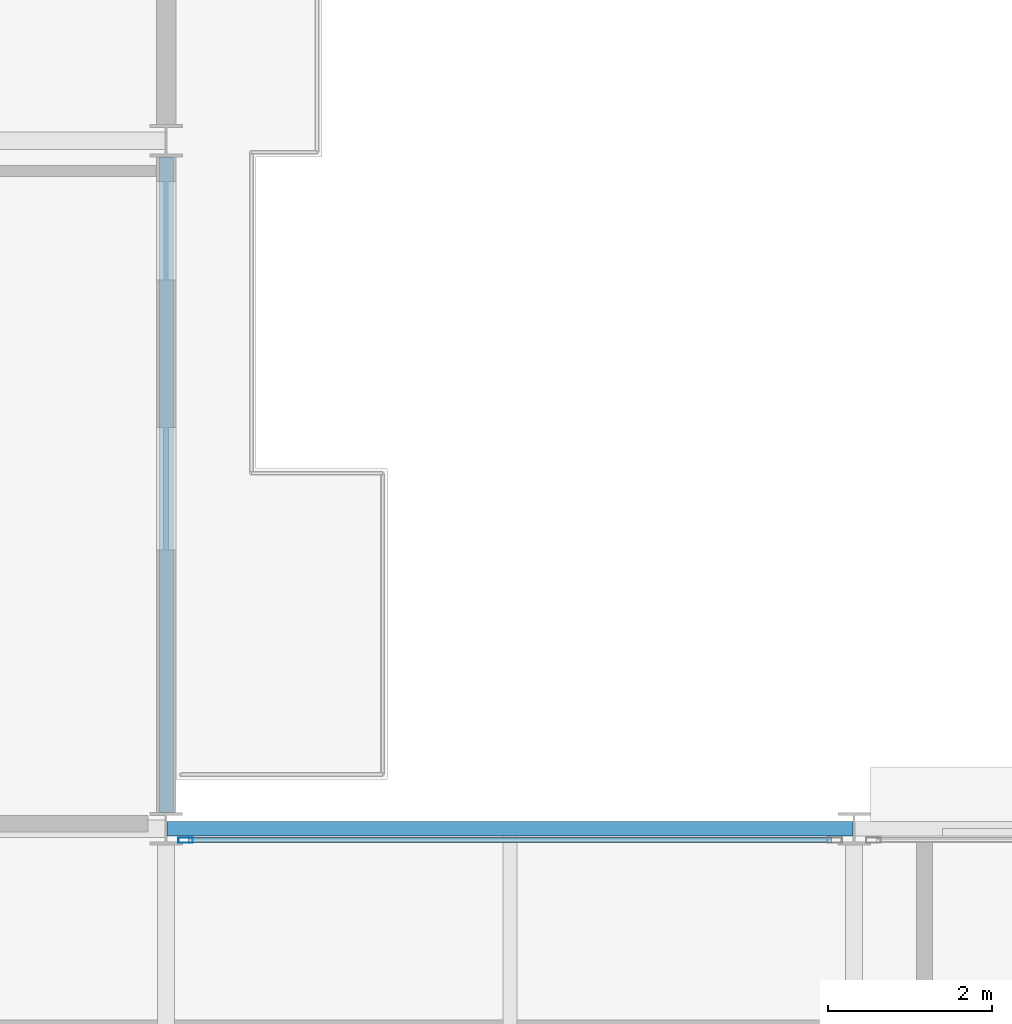
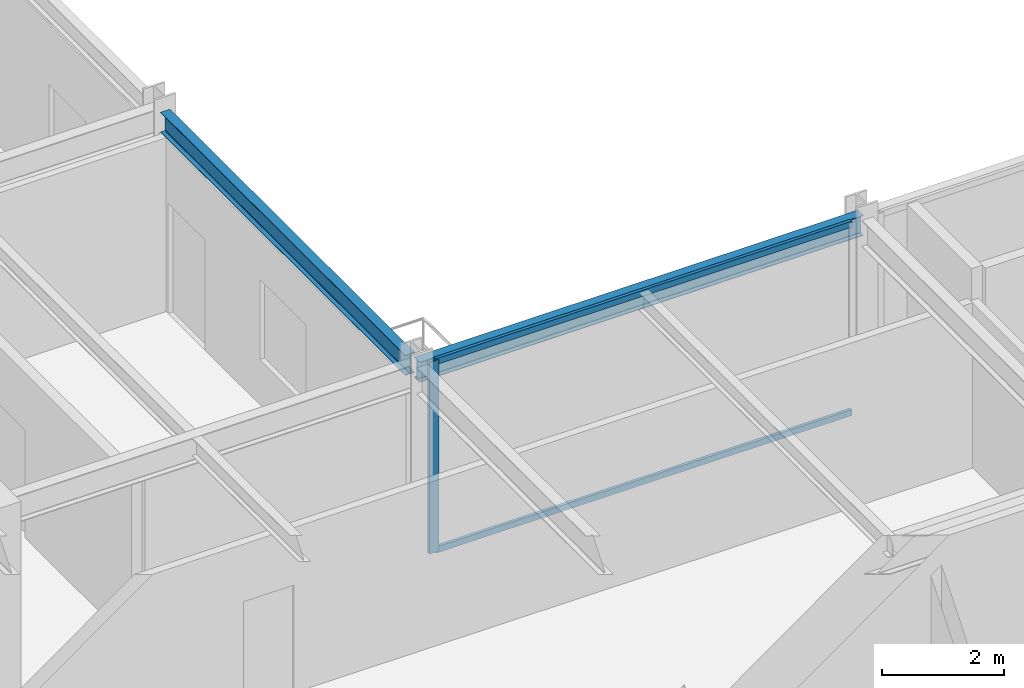
# One storey, part 12 of 30: 3 members, 2 beams, 1 element without a shape of its own.
"""IFC4 building model written with IfcOpenShell, lengths in metres."""

from ifc_helpers import new_model, si_unit, direction, frame, origin, origin_2d, place, context, subcontext, project, spatial, hollow_rectangle, i_section, extrude, material, layer, layer_set, material_profile, profile_set, type_object, element, aggregate, save


model = new_model("IFC4")

# Units and contexts
model_context = context("Model", 3, precision=1e-05, world=origin(), true_north=direction((0.0, 1.0)))
body_context = subcontext(model_context, "Body", "Model", "MODEL_VIEW")
ifc_project = project(units=[si_unit("LENGTHUNIT", "METRE"), si_unit("AREAUNIT", "SQUARE_METRE"), si_unit("VOLUMEUNIT", "CUBIC_METRE"), si_unit("PLANEANGLEUNIT", "RADIAN"), si_unit("MASSUNIT", "GRAM", prefix="KILO")], contexts=[model_context])

# Site, building, storey
site_placement = place(None, origin())
site = spatial("IfcSite", under=ifc_project, at=site_placement, CompositionType="ELEMENT")
building_placement = place(site_placement, origin())
building = spatial("IfcBuilding", under=site, at=building_placement, Name="Nerrivon Quay Data Exchange", CompositionType="ELEMENT")
storey_placement = place(building_placement, frame((0.0, 0.0, 129.5)))
storey = spatial("IfcBuildingStorey", under=building, at=storey_placement, Name="L30", CompositionType="ELEMENT", Elevation=129.5)

# Beams
ifc_material_1 = material(Name="Steel Grade 350", Category="steel")
ifc_material_profile_1 = material_profile(ifc_material_1, i_section(OverallWidth=0.177978515625, OverallDepth=0.403076171875, WebThickness=0.007568359375, FlangeThickness=0.010986328125, FilletRadius=0.011474609375, at=origin_2d()), Name="410UB53.7")
ifc_profile_set_1 = profile_set([ifc_material_profile_1], Name="Steel Grade 350")
beam_type = type_object("IfcBeamType", Name="BM-SP2-410UB54", PredefinedType="SPANDREL", material=ifc_profile_set_1)
beam_1_placement = place(storey_placement, frame((25.21240234375, 25.199951171875, 3.62353515625), z_axis=(1.0, 0.0, 0.0), x_axis=(0.0, 1.0, 0.0)))
element("IfcBeam", 1, at=beam_1_placement, inside=storey, type_object=beam_type, Name="L30 EW Girder Y=25.2 (25.2..33.6)", PredefinedType="SPANDREL", context=body_context, shape_type="SweptSolid", body=[
    extrude(i_section(OverallWidth=0.177978515625, OverallDepth=0.403076171875, WebThickness=0.007568359375, FlangeThickness=0.010986328125, FilletRadius=0.011474609375, at=origin_2d()), origin(), (0.0, 0.0, 1.0), 8.375),
])
beam_2_placement = place(storey_placement, frame((25.199951171875, 25.39990234375, 3.62353515625), z_axis=(0.0, 1.0, 0.0), x_axis=(-1.0, 0.0, 0.0)))
element("IfcBeam", 2, at=beam_2_placement, inside=storey, type_object=beam_type, Name="L30 NS Girder X=25.2 (25.2..33.6)", PredefinedType="SPANDREL", context=body_context, shape_type="SweptSolid", body=[
    extrude(i_section(OverallWidth=0.177978515625, OverallDepth=0.403076171875, WebThickness=0.007568359375, FlangeThickness=0.010986328125, FilletRadius=0.011474609375, at=origin_2d()), origin(), (0.0, 0.0, 1.0), 8.0),
])

# Curtain wall, members
ifc_material_2 = material(Name="Anodised aluminium 6063-T6", Category="aluminium")
ifc_layer = layer(ifc_material_2, 0.2099609375)
ifc_layer_set = layer_set([ifc_layer], Name="Anodised aluminium 6063-T6")
curtain_wall_type = type_object("IfcCurtainWallType", Name="CW-SYS-02", PredefinedType="NOTDEFINED", material=ifc_layer_set)
curtain_wall_placement = place(storey_placement, origin())
curtain_wall = element("IfcCurtainWall", 3, at=curtain_wall_placement, inside=storey, type_object=curtain_wall_type, Name="L30 Unitised Curtain Wall 26", PredefinedType="NOTDEFINED")
ifc_material_profile_2 = material_profile(ifc_material_2, hollow_rectangle(XDim=0.06494140625, YDim=0.179931640625, WallThickness=0.00341796875, at=origin_2d()), Name="ALU-MULL-180x65")
ifc_profile_set_2 = profile_set([ifc_material_profile_2], Name="Anodised aluminium 6063-T6")
member_type_1 = type_object("IfcMemberType", Name="CWM-180x65", PredefinedType="MULLION", material=ifc_profile_set_2)
member_1_placement = place(storey_placement, frame((25.4375, 25.06005859375, 0.0), z_axis=(0.0, 0.0, 1.0), x_axis=(0.0, 1.0, 0.0)))
member_1 = element("IfcMember", 4, at=member_1_placement, type_object=member_type_1, Name="CW02 mullion 1", PredefinedType="MULLION", context=body_context, shape_type="SweptSolid", body=[
    extrude(hollow_rectangle(XDim=0.06494140625, YDim=0.179931640625, WallThickness=0.00341796875, at=origin_2d()), origin(), (0.0, 0.0, 1.0), 3.824951171875),
])
ifc_material_profile_3 = material_profile(ifc_material_2, hollow_rectangle(XDim=0.06005859375, YDim=0.1201171875, WallThickness=0.003173828125, at=origin_2d()), Name="ALU-TRAN-120x60")
ifc_profile_set_3 = profile_set([ifc_material_profile_3], Name="Anodised aluminium 6063-T6")
member_type_2 = type_object("IfcMemberType", Name="CWT-120x60", PredefinedType="USERDEFINED", material=ifc_profile_set_3)
member_2_placement = place(storey_placement, frame((25.47509765625, 25.06005859375, 0.032470703125), z_axis=(1.0, 0.0, 0.0), x_axis=(0.0, 1.0, 0.0)))
member_2 = element("IfcMember", 5, at=member_2_placement, type_object=member_type_2, Name="CW02 transom 1.1", ObjectType="TRANSOM", PredefinedType="USERDEFINED", context=body_context, shape_type="SweptSolid", body=[
    extrude(hollow_rectangle(XDim=0.06005859375, YDim=0.1201171875, WallThickness=0.003173828125, at=origin_2d()), origin(), (0.0, 0.0, 1.0), 7.849853515625),
])
member_3_placement = place(storey_placement, frame((25.47509765625, 25.06005859375, 3.79248046875), z_axis=(1.0, 0.0, 0.0), x_axis=(0.0, 1.0, 0.0)))
member_3 = element("IfcMember", 6, at=member_3_placement, type_object=member_type_2, Name="CW02 transom 1.2", ObjectType="TRANSOM", PredefinedType="USERDEFINED", context=body_context, shape_type="SweptSolid", body=[
    extrude(hollow_rectangle(XDim=0.06005859375, YDim=0.1201171875, WallThickness=0.003173828125, at=origin_2d()), origin(), (0.0, 0.0, 1.0), 7.849853515625),
])
aggregate(curtain_wall, [member_1, member_2, member_3])

save(model, "model.ifc")
